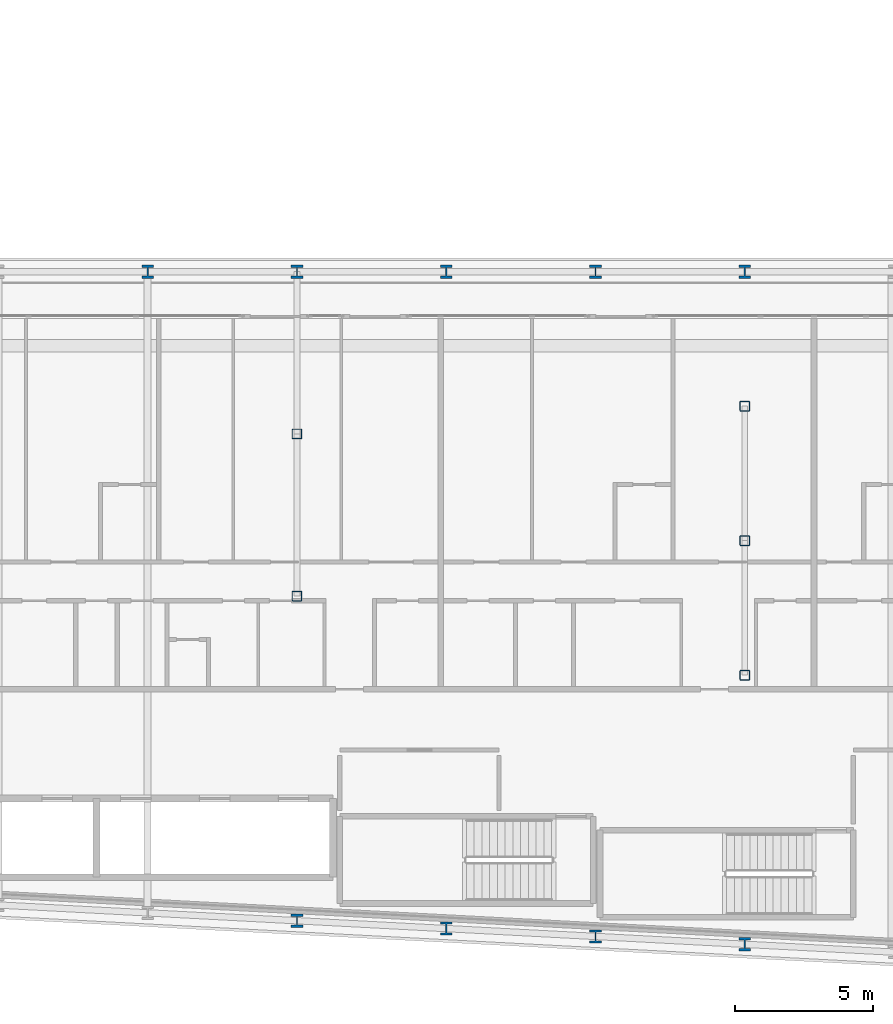
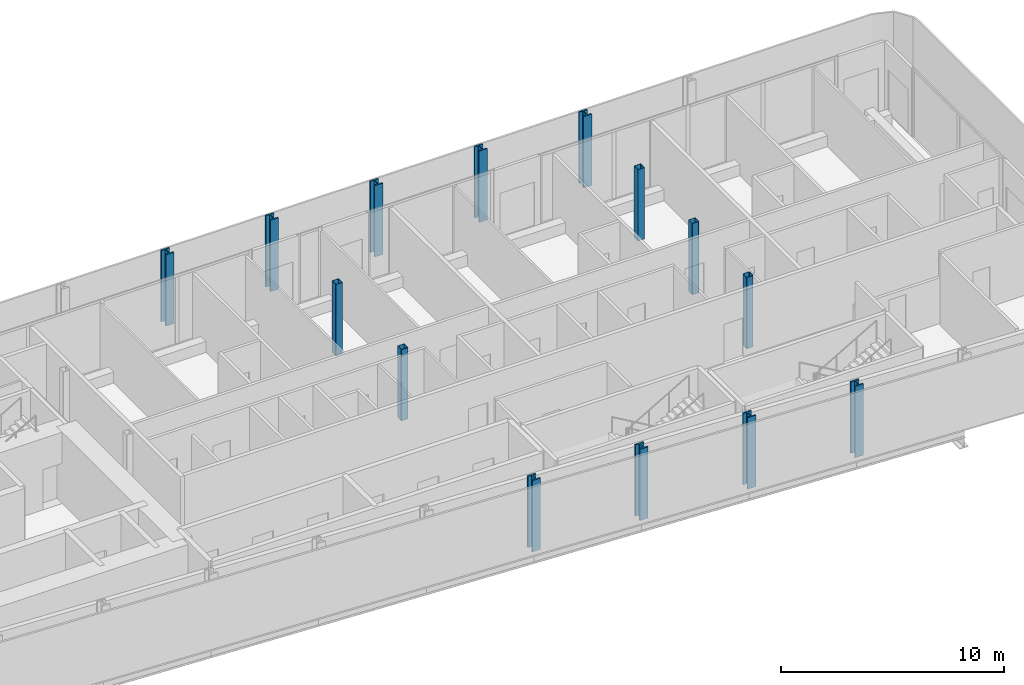
# One storey, part 2 of 29: 14 columns.
"""IFC4 building model written with IfcOpenShell, lengths in metres."""

from ifc_helpers import new_model, si_unit, direction, frame, origin, origin_2d, place, context, subcontext, project, spatial, hollow_rectangle, i_section, extrude, material, material_profile, profile_set, type_object, element, save


model = new_model("IFC4")

# Units and contexts
model_context = context("Model", 3, precision=1e-05, world=origin(), true_north=direction((0.0, 1.0)))
body_context = subcontext(model_context, "Body", "Model", "MODEL_VIEW")
ifc_project = project(units=[si_unit("LENGTHUNIT", "METRE"), si_unit("AREAUNIT", "SQUARE_METRE"), si_unit("VOLUMEUNIT", "CUBIC_METRE"), si_unit("PLANEANGLEUNIT", "RADIAN"), si_unit("MASSUNIT", "GRAM", prefix="KILO")], contexts=[model_context])

# Site, building, storey
site_placement = place(None, origin())
site = spatial("IfcSite", under=ifc_project, at=site_placement, CompositionType="ELEMENT")
building_placement = place(site_placement, origin())
building = spatial("IfcBuilding", under=site, at=building_placement, Name="Kheshtan School and Residences Tower", CompositionType="ELEMENT")
storey_placement = place(building_placement, frame((0.0, 0.0, 65.60009765625)))
storey = spatial("IfcBuildingStorey", under=building, at=storey_placement, Name="L15", CompositionType="ELEMENT", Elevation=65.60009765625)

# Columns
ifc_material_1 = material(Name="Steel ASTM A992 Grade 50", Category="steel")
ifc_material_profile_1 = material_profile(ifc_material_1, i_section(OverallWidth=0.424072265625, OverallDepth=0.47412109375, WebThickness=0.047607421875, FlangeThickness=0.0771484375, FilletRadius=0.01416015625, at=origin_2d()), Name="W360x634")
ifc_profile_set_1 = profile_set([ifc_material_profile_1], Name="Steel ASTM A992 Grade 50")
column_type_1 = type_object("IfcColumnType", Name="Column C1 W360x634 ASTM A992 Grade 50", PredefinedType="COLUMN", material=ifc_profile_set_1)
for number, where, z_axis, x_axis, name in (
    (1, (85.39990234375, 21.27392578125, 0.0), (0.0, 0.0, 1.0), (1.0, 0.0, 0.0), "Column C008"),
    (2, (80.0, 21.55810546875, 0.0), (0.0, 0.0, 1.0), (1.0, 0.0, 0.0), "Column C012"),
    (3, (74.60009765625, 21.843017578125, 0.0), (0.0, 0.0, 1.0), (1.0, 0.0, 0.0), "Column C013"),
    (4, (69.199951171875, 22.126953125, 0.0), (0.0, 0.0, 1.0), (1.0, 0.0, 0.0), "Column C014"),
    (5, (63.800048828125, 45.60009765625, 0.0), (0.0, 0.0, 1.0), (1.0, 0.0, 0.0), "Column C063"),
    (6, (69.199951171875, 45.60009765625, 0.0), (0.0, 0.0, 1.0), (1.0, 0.0, 0.0), "Column C064"),
    (7, (74.60009765625, 45.60009765625, 0.0), (0.0, 0.0, 1.0), (1.0, 0.0, 0.0), "Column C065"),
    (8, (80.0, 45.60009765625, 0.0), (0.0, 0.0, 1.0), (1.0, 0.0, 0.0), "Column C066"),
    (9, (85.39990234375, 45.60009765625, 0.0), (0.0, 0.0, 1.0), (1.0, 0.0, 0.0), "Column C067"),
):
    element("IfcColumn", number, at=place(storey_placement, frame(where, z_axis=z_axis, x_axis=x_axis)), inside=storey, type_object=column_type_1, Name=name, PredefinedType="COLUMN", context=body_context, shape_type="SweptSolid", body=[
        extrude(i_section(OverallWidth=0.424072265625, OverallDepth=0.47412109375, WebThickness=0.047607421875, FlangeThickness=0.0771484375, FilletRadius=0.01416015625, at=origin_2d()), origin(), (0.0, 0.0, 1.0), 3.89990234375),
    ])
ifc_material_2 = material(Name="Steel ASTM A500 Grade C", Category="steel")
ifc_material_profile_2 = material_profile(ifc_material_2, hollow_rectangle(XDim=0.35595703125, YDim=0.35595703125, WallThickness=0.015869140625, InnerFilletRadius=0.015869140625, OuterFilletRadius=0.03173828125, at=origin_2d()), Name="HSS 356x356x15.9")
ifc_profile_set_2 = profile_set([ifc_material_profile_2], Name="Steel ASTM A500 Grade C")
column_type_2 = type_object("IfcColumnType", Name="Column IC1 HSS 356x356x15.9 ASTM A500 Grade C", PredefinedType="COLUMN", material=ifc_profile_set_2)
for number, where, z_axis, x_axis, name in (
    (10, (85.39990234375, 31.0048828125, 0.0), (0.0, 0.0, 1.0), (1.0, 0.0, 0.0), "Column C049"),
    (11, (69.199951171875, 33.863037109375, 0.0), (0.0, 0.0, 1.0), (1.0, 0.0, 0.0), "Column C050"),
    (12, (85.39990234375, 35.8701171875, 0.0), (0.0, 0.0, 1.0), (1.0, 0.0, 0.0), "Column C053"),
    (13, (69.199951171875, 39.73193359375, 0.0), (0.0, 0.0, 1.0), (1.0, 0.0, 0.0), "Column C054"),
    (14, (85.39990234375, 40.735107421875, 0.0), (0.0, 0.0, 1.0), (1.0, 0.0, 0.0), "Column C057"),
):
    element("IfcColumn", number, at=place(storey_placement, frame(where, z_axis=z_axis, x_axis=x_axis)), inside=storey, type_object=column_type_2, Name=name, PredefinedType="COLUMN", context=body_context, shape_type="SweptSolid", body=[
        extrude(hollow_rectangle(XDim=0.35595703125, YDim=0.35595703125, WallThickness=0.015869140625, InnerFilletRadius=0.015869140625, OuterFilletRadius=0.03173828125, at=origin_2d()), origin(), (0.0, 0.0, 1.0), 3.89990234375),
    ])

save(model, "model.ifc")
